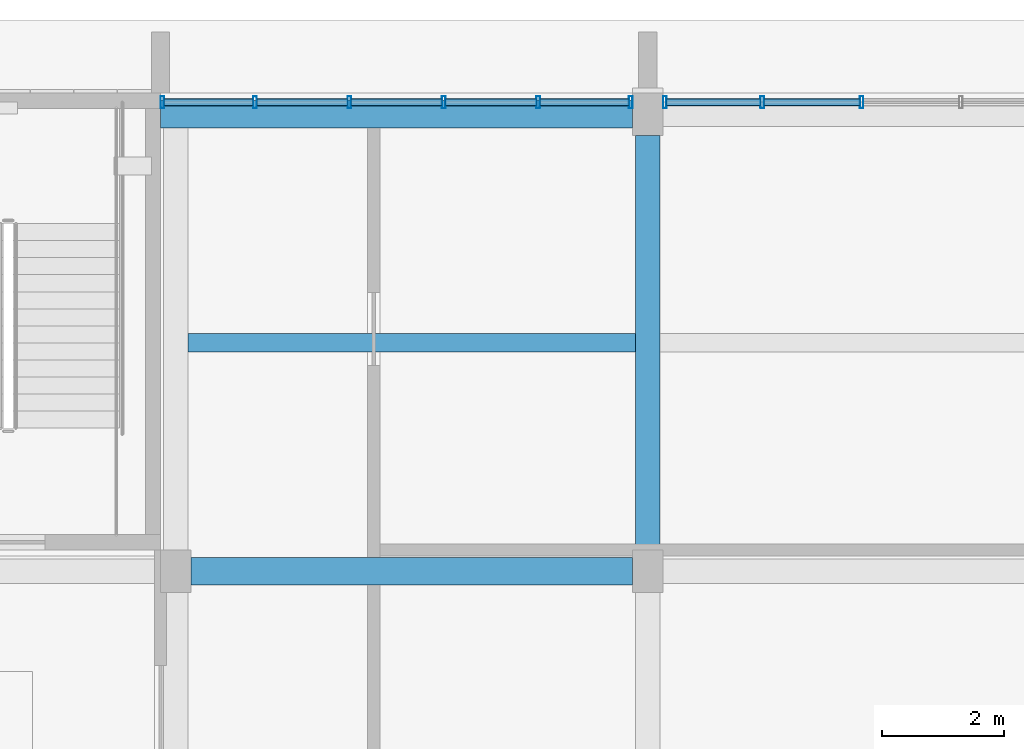
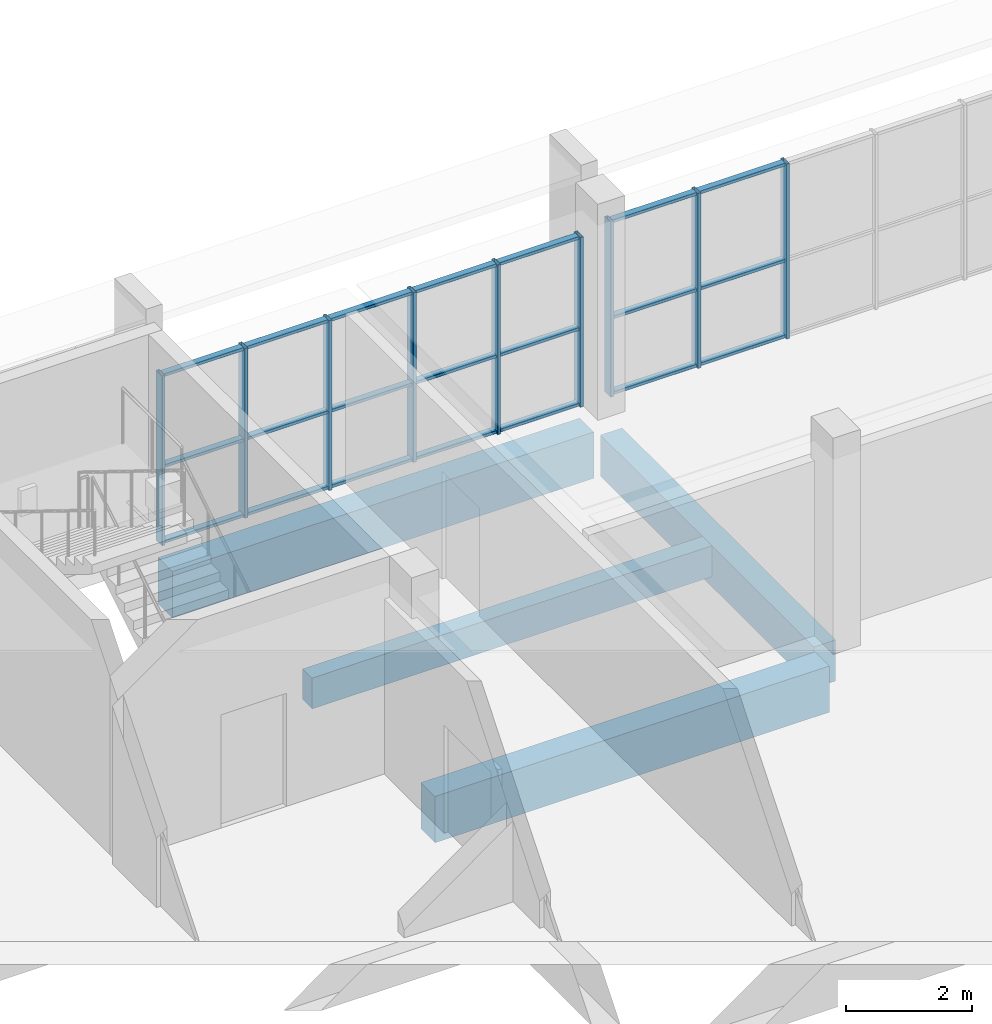
# One storey, part 17 of 42: 30 members, 4 beams, 2 elements without a shape of their own.
"""IFC4 building model written with IfcOpenShell, lengths in metres."""

from ifc_helpers import new_model, si_unit, direction, frame, origin, origin_2d, place, context, subcontext, project, spatial, rectangle, hollow_rectangle, extrude, material, material_profile, profile_set, type_object, element, aggregate, save


model = new_model("IFC4")

# Units and contexts
model_context = context("Model", 3, precision=1e-05, world=origin(), true_north=direction((0.0, 1.0)))
body_context = subcontext(model_context, "Body", "Model", "MODEL_VIEW")
ifc_project = project(units=[si_unit("LENGTHUNIT", "METRE"), si_unit("AREAUNIT", "SQUARE_METRE"), si_unit("VOLUMEUNIT", "CUBIC_METRE"), si_unit("PLANEANGLEUNIT", "RADIAN"), si_unit("MASSUNIT", "GRAM", prefix="KILO")], contexts=[model_context])

# Site, building, storey
site_placement = place(None, origin())
site = spatial("IfcSite", under=ifc_project, at=site_placement, CompositionType="ELEMENT")
building_placement = place(site_placement, origin())
building = spatial("IfcBuilding", under=site, at=building_placement, Name="Sun Court Science Centre", CompositionType="ELEMENT")
storey_placement = place(building_placement, frame((0.0, 0.0, 20.25)))
storey = spatial("IfcBuildingStorey", under=building, at=storey_placement, Name="L04", CompositionType="ELEMENT", Elevation=20.25)

# Curtain wall, members
ifc_material_1 = material(Name="Aluminium EN AW-6063 T6", Category="aluminium")
curtain_wall_type = type_object("IfcCurtainWallType", Name="Laboratory tall bay curtain wall 1500", PredefinedType="NOTDEFINED", material=ifc_material_1)
curtain_wall_1_placement = place(storey_placement, origin())
curtain_wall_1 = element("IfcCurtainWall", 1, at=curtain_wall_1_placement, inside=storey, type_object=curtain_wall_type, Name="Curtain wall V4 N L04 02", PredefinedType="NOTDEFINED")
ifc_material_2 = material(Name="Aluminium EN AW-6063 T6", Category="aluminium")
ifc_material_profile_1 = material_profile(ifc_material_2, hollow_rectangle(XDim=0.06005859375, YDim=0.199951171875, WallThickness=0.0048828125, InnerFilletRadius=0.0048828125, OuterFilletRadius=0.007568359375, at=origin_2d()), Name="AL 60x200x5")
ifc_profile_set_1 = profile_set([ifc_material_profile_1], Name="Aluminium EN AW-6063 T6")
member_type_1 = type_object("IfcMemberType", Name="Curtain wall mullion AL 60x200", PredefinedType="MULLION", material=ifc_profile_set_1)
member_1_placement = place(storey_placement, frame((87.030029296875, 80.85009765625, 0.0), z_axis=(0.0, 0.0, 1.0), x_axis=(1.0, 0.0, 0.0)))
member_1 = element("IfcMember", 2, at=member_1_placement, type_object=member_type_1, Name="CW2-74 mullion 1", PredefinedType="MULLION", context=body_context, shape_type="SweptSolid", body=[
    extrude(hollow_rectangle(XDim=0.06005859375, YDim=0.199951171875, WallThickness=0.0048828125, InnerFilletRadius=0.0048828125, OuterFilletRadius=0.007568359375, at=origin_2d()), origin(), (0.0, 0.0, 1.0), 3.300048828125),
])
member_2_placement = place(storey_placement, frame((88.550048828125, 80.85009765625, 0.0), z_axis=(0.0, 0.0, 1.0), x_axis=(1.0, 0.0, 0.0)))
member_2 = element("IfcMember", 3, at=member_2_placement, type_object=member_type_1, Name="CW2-74 mullion 2", PredefinedType="MULLION", context=body_context, shape_type="SweptSolid", body=[
    extrude(hollow_rectangle(XDim=0.06005859375, YDim=0.199951171875, WallThickness=0.0048828125, InnerFilletRadius=0.0048828125, OuterFilletRadius=0.007568359375, at=origin_2d()), origin(), (0.0, 0.0, 1.0), 3.300048828125),
])
member_3_placement = place(storey_placement, frame((90.10009765625, 80.85009765625, 0.0), z_axis=(0.0, 0.0, 1.0), x_axis=(1.0, 0.0, 0.0)))
member_3 = element("IfcMember", 4, at=member_3_placement, type_object=member_type_1, Name="CW2-74 mullion 3", PredefinedType="MULLION", context=body_context, shape_type="SweptSolid", body=[
    extrude(hollow_rectangle(XDim=0.06005859375, YDim=0.199951171875, WallThickness=0.0048828125, InnerFilletRadius=0.0048828125, OuterFilletRadius=0.007568359375, at=origin_2d()), origin(), (0.0, 0.0, 1.0), 3.300048828125),
])
member_4_placement = place(storey_placement, frame((91.64990234375, 80.85009765625, 0.0), z_axis=(0.0, 0.0, 1.0), x_axis=(1.0, 0.0, 0.0)))
member_4 = element("IfcMember", 5, at=member_4_placement, type_object=member_type_1, Name="CW2-74 mullion 4", PredefinedType="MULLION", context=body_context, shape_type="SweptSolid", body=[
    extrude(hollow_rectangle(XDim=0.06005859375, YDim=0.199951171875, WallThickness=0.0048828125, InnerFilletRadius=0.0048828125, OuterFilletRadius=0.007568359375, at=origin_2d()), origin(), (0.0, 0.0, 1.0), 3.300048828125),
])
member_5_placement = place(storey_placement, frame((93.199951171875, 80.85009765625, 0.0), z_axis=(0.0, 0.0, 1.0), x_axis=(1.0, 0.0, 0.0)))
member_5 = element("IfcMember", 6, at=member_5_placement, type_object=member_type_1, Name="CW2-74 mullion 5", PredefinedType="MULLION", context=body_context, shape_type="SweptSolid", body=[
    extrude(hollow_rectangle(XDim=0.06005859375, YDim=0.199951171875, WallThickness=0.0048828125, InnerFilletRadius=0.0048828125, OuterFilletRadius=0.007568359375, at=origin_2d()), origin(), (0.0, 0.0, 1.0), 3.300048828125),
])
member_6_placement = place(storey_placement, frame((94.719970703125, 80.85009765625, 0.0), z_axis=(0.0, 0.0, 1.0), x_axis=(1.0, 0.0, 0.0)))
member_6 = element("IfcMember", 7, at=member_6_placement, type_object=member_type_1, Name="CW2-74 mullion 6", PredefinedType="MULLION", context=body_context, shape_type="SweptSolid", body=[
    extrude(hollow_rectangle(XDim=0.06005859375, YDim=0.199951171875, WallThickness=0.0048828125, InnerFilletRadius=0.0048828125, OuterFilletRadius=0.007568359375, at=origin_2d()), origin(), (0.0, 0.0, 1.0), 3.300048828125),
])

curtain_wall_2_placement = place(storey_placement, origin())
curtain_wall_2 = element("IfcCurtainWall", 8, at=curtain_wall_2_placement, inside=storey, type_object=curtain_wall_type, Name="Curtain wall V4 N L04 03", PredefinedType="NOTDEFINED")
member_7_placement = place(storey_placement, frame((95.280029296875, 80.85009765625, 0.0), z_axis=(0.0, 0.0, 1.0), x_axis=(1.0, 0.0, 0.0)))
member_7 = element("IfcMember", 9, at=member_7_placement, type_object=member_type_1, Name="CW2-75 mullion 1", PredefinedType="MULLION", context=body_context, shape_type="SweptSolid", body=[
    extrude(hollow_rectangle(XDim=0.06005859375, YDim=0.199951171875, WallThickness=0.0048828125, InnerFilletRadius=0.0048828125, OuterFilletRadius=0.007568359375, at=origin_2d()), origin(), (0.0, 0.0, 1.0), 3.39990234375),
])
member_8_placement = place(storey_placement, frame((96.8798828125, 80.85009765625, 0.0), z_axis=(0.0, 0.0, 1.0), x_axis=(1.0, 0.0, 0.0)))
member_8 = element("IfcMember", 10, at=member_8_placement, type_object=member_type_1, Name="CW2-75 mullion 2", PredefinedType="MULLION", context=body_context, shape_type="SweptSolid", body=[
    extrude(hollow_rectangle(XDim=0.06005859375, YDim=0.199951171875, WallThickness=0.0048828125, InnerFilletRadius=0.0048828125, OuterFilletRadius=0.007568359375, at=origin_2d()), origin(), (0.0, 0.0, 1.0), 3.39990234375),
])
member_9_placement = place(storey_placement, frame((98.510009765625, 80.85009765625, 0.0), z_axis=(0.0, 0.0, 1.0), x_axis=(1.0, 0.0, 0.0)))
member_9 = element("IfcMember", 11, at=member_9_placement, type_object=member_type_1, Name="CW2-75 mullion 3", PredefinedType="MULLION", context=body_context, shape_type="SweptSolid", body=[
    extrude(hollow_rectangle(XDim=0.06005859375, YDim=0.199951171875, WallThickness=0.0048828125, InnerFilletRadius=0.0048828125, OuterFilletRadius=0.007568359375, at=origin_2d()), origin(), (0.0, 0.0, 1.0), 3.39990234375),
])

# Member
ifc_material_3 = material(Name="Aluminium EN AW-6063 T6", Category="aluminium")
ifc_material_profile_2 = material_profile(ifc_material_3, hollow_rectangle(XDim=0.06005859375, YDim=0.1201171875, WallThickness=0.00390625, InnerFilletRadius=0.00390625, OuterFilletRadius=0.006103515625, at=origin_2d()), Name="AL 60x120x4")
ifc_profile_set_2 = profile_set([ifc_material_profile_2], Name="Aluminium EN AW-6063 T6")
member_type_2 = type_object("IfcMemberType", Name="Curtain wall transom AL 60x120", PredefinedType="USERDEFINED", material=ifc_profile_set_2)
member_10_placement = place(storey_placement, frame((87.06005859375, 80.85009765625, 0.030029296875), z_axis=(1.0, 0.0, 0.0), x_axis=(0.0, 0.0, 1.0)))
member_10 = element("IfcMember", 12, at=member_10_placement, type_object=member_type_2, Name="CW2-74 transom 1.1", ObjectType="TRANSOM", PredefinedType="USERDEFINED", context=body_context, shape_type="SweptSolid", body=[
    extrude(hollow_rectangle(XDim=0.06005859375, YDim=0.1201171875, WallThickness=0.00390625, InnerFilletRadius=0.00390625, OuterFilletRadius=0.006103515625, at=origin_2d()), origin(), (0.0, 0.0, 1.0), 1.4599609375),
])

member_11_placement = place(storey_placement, frame((88.580078125, 80.85009765625, 0.030029296875), z_axis=(1.0, 0.0, 0.0), x_axis=(0.0, 0.0, 1.0)))
member_11 = element("IfcMember", 13, at=member_11_placement, type_object=member_type_2, Name="CW2-74 transom 2.1", ObjectType="TRANSOM", PredefinedType="USERDEFINED", context=body_context, shape_type="SweptSolid", body=[
    extrude(hollow_rectangle(XDim=0.06005859375, YDim=0.1201171875, WallThickness=0.00390625, InnerFilletRadius=0.00390625, OuterFilletRadius=0.006103515625, at=origin_2d()), origin(), (0.0, 0.0, 1.0), 1.489990234375),
])

member_12_placement = place(storey_placement, frame((90.1298828125, 80.85009765625, 0.030029296875), z_axis=(1.0, 0.0, 0.0), x_axis=(0.0, 0.0, 1.0)))
member_12 = element("IfcMember", 14, at=member_12_placement, type_object=member_type_2, Name="CW2-74 transom 3.1", ObjectType="TRANSOM", PredefinedType="USERDEFINED", context=body_context, shape_type="SweptSolid", body=[
    extrude(hollow_rectangle(XDim=0.06005859375, YDim=0.1201171875, WallThickness=0.00390625, InnerFilletRadius=0.00390625, OuterFilletRadius=0.006103515625, at=origin_2d()), origin(), (0.0, 0.0, 1.0), 1.490234375),
])

member_13_placement = place(storey_placement, frame((91.679931640625, 80.85009765625, 0.030029296875), z_axis=(1.0, 0.0, 0.0), x_axis=(0.0, 0.0, 1.0)))
member_13 = element("IfcMember", 15, at=member_13_placement, type_object=member_type_2, Name="CW2-74 transom 4.1", ObjectType="TRANSOM", PredefinedType="USERDEFINED", context=body_context, shape_type="SweptSolid", body=[
    extrude(hollow_rectangle(XDim=0.06005859375, YDim=0.1201171875, WallThickness=0.00390625, InnerFilletRadius=0.00390625, OuterFilletRadius=0.006103515625, at=origin_2d()), origin(), (0.0, 0.0, 1.0), 1.489990234375),
])

member_14_placement = place(storey_placement, frame((93.22998046875, 80.85009765625, 0.030029296875), z_axis=(1.0, 0.0, 0.0), x_axis=(0.0, 0.0, 1.0)))
member_14 = element("IfcMember", 16, at=member_14_placement, type_object=member_type_2, Name="CW2-74 transom 5.1", ObjectType="TRANSOM", PredefinedType="USERDEFINED", context=body_context, shape_type="SweptSolid", body=[
    extrude(hollow_rectangle(XDim=0.06005859375, YDim=0.1201171875, WallThickness=0.00390625, InnerFilletRadius=0.00390625, OuterFilletRadius=0.006103515625, at=origin_2d()), origin(), (0.0, 0.0, 1.0), 1.4599609375),
])

member_15_placement = place(storey_placement, frame((87.06005859375, 80.85009765625, 1.5), z_axis=(1.0, 0.0, 0.0), x_axis=(0.0, 0.0, 1.0)))
member_15 = element("IfcMember", 17, at=member_15_placement, type_object=member_type_2, Name="CW2-74 transom 1.2", ObjectType="TRANSOM", PredefinedType="USERDEFINED", context=body_context, shape_type="SweptSolid", body=[
    extrude(hollow_rectangle(XDim=0.06005859375, YDim=0.1201171875, WallThickness=0.00390625, InnerFilletRadius=0.00390625, OuterFilletRadius=0.006103515625, at=origin_2d()), origin(), (0.0, 0.0, 1.0), 1.4599609375),
])

member_16_placement = place(storey_placement, frame((88.580078125, 80.85009765625, 1.5), z_axis=(1.0, 0.0, 0.0), x_axis=(0.0, 0.0, 1.0)))
member_16 = element("IfcMember", 18, at=member_16_placement, type_object=member_type_2, Name="CW2-74 transom 2.2", ObjectType="TRANSOM", PredefinedType="USERDEFINED", context=body_context, shape_type="SweptSolid", body=[
    extrude(hollow_rectangle(XDim=0.06005859375, YDim=0.1201171875, WallThickness=0.00390625, InnerFilletRadius=0.00390625, OuterFilletRadius=0.006103515625, at=origin_2d()), origin(), (0.0, 0.0, 1.0), 1.489990234375),
])

member_17_placement = place(storey_placement, frame((90.1298828125, 80.85009765625, 1.5), z_axis=(1.0, 0.0, 0.0), x_axis=(0.0, 0.0, 1.0)))
member_17 = element("IfcMember", 19, at=member_17_placement, type_object=member_type_2, Name="CW2-74 transom 3.2", ObjectType="TRANSOM", PredefinedType="USERDEFINED", context=body_context, shape_type="SweptSolid", body=[
    extrude(hollow_rectangle(XDim=0.06005859375, YDim=0.1201171875, WallThickness=0.00390625, InnerFilletRadius=0.00390625, OuterFilletRadius=0.006103515625, at=origin_2d()), origin(), (0.0, 0.0, 1.0), 1.490234375),
])

member_18_placement = place(storey_placement, frame((91.679931640625, 80.85009765625, 1.5), z_axis=(1.0, 0.0, 0.0), x_axis=(0.0, 0.0, 1.0)))
member_18 = element("IfcMember", 20, at=member_18_placement, type_object=member_type_2, Name="CW2-74 transom 4.2", ObjectType="TRANSOM", PredefinedType="USERDEFINED", context=body_context, shape_type="SweptSolid", body=[
    extrude(hollow_rectangle(XDim=0.06005859375, YDim=0.1201171875, WallThickness=0.00390625, InnerFilletRadius=0.00390625, OuterFilletRadius=0.006103515625, at=origin_2d()), origin(), (0.0, 0.0, 1.0), 1.489990234375),
])

member_19_placement = place(storey_placement, frame((93.22998046875, 80.85009765625, 1.5), z_axis=(1.0, 0.0, 0.0), x_axis=(0.0, 0.0, 1.0)))
member_19 = element("IfcMember", 21, at=member_19_placement, type_object=member_type_2, Name="CW2-74 transom 5.2", ObjectType="TRANSOM", PredefinedType="USERDEFINED", context=body_context, shape_type="SweptSolid", body=[
    extrude(hollow_rectangle(XDim=0.06005859375, YDim=0.1201171875, WallThickness=0.00390625, InnerFilletRadius=0.00390625, OuterFilletRadius=0.006103515625, at=origin_2d()), origin(), (0.0, 0.0, 1.0), 1.4599609375),
])

member_20_placement = place(storey_placement, frame((87.06005859375, 80.85009765625, 3.27001953125), z_axis=(1.0, 0.0, 0.0), x_axis=(0.0, 0.0, 1.0)))
member_20 = element("IfcMember", 22, at=member_20_placement, type_object=member_type_2, Name="CW2-74 transom 1.3", ObjectType="TRANSOM", PredefinedType="USERDEFINED", context=body_context, shape_type="SweptSolid", body=[
    extrude(hollow_rectangle(XDim=0.06005859375, YDim=0.1201171875, WallThickness=0.00390625, InnerFilletRadius=0.00390625, OuterFilletRadius=0.006103515625, at=origin_2d()), origin(), (0.0, 0.0, 1.0), 1.4599609375),
])

member_21_placement = place(storey_placement, frame((88.580078125, 80.85009765625, 3.27001953125), z_axis=(1.0, 0.0, 0.0), x_axis=(0.0, 0.0, 1.0)))
member_21 = element("IfcMember", 23, at=member_21_placement, type_object=member_type_2, Name="CW2-74 transom 2.3", ObjectType="TRANSOM", PredefinedType="USERDEFINED", context=body_context, shape_type="SweptSolid", body=[
    extrude(hollow_rectangle(XDim=0.06005859375, YDim=0.1201171875, WallThickness=0.00390625, InnerFilletRadius=0.00390625, OuterFilletRadius=0.006103515625, at=origin_2d()), origin(), (0.0, 0.0, 1.0), 1.489990234375),
])

member_22_placement = place(storey_placement, frame((90.1298828125, 80.85009765625, 3.27001953125), z_axis=(1.0, 0.0, 0.0), x_axis=(0.0, 0.0, 1.0)))
member_22 = element("IfcMember", 24, at=member_22_placement, type_object=member_type_2, Name="CW2-74 transom 3.3", ObjectType="TRANSOM", PredefinedType="USERDEFINED", context=body_context, shape_type="SweptSolid", body=[
    extrude(hollow_rectangle(XDim=0.06005859375, YDim=0.1201171875, WallThickness=0.00390625, InnerFilletRadius=0.00390625, OuterFilletRadius=0.006103515625, at=origin_2d()), origin(), (0.0, 0.0, 1.0), 1.490234375),
])

member_23_placement = place(storey_placement, frame((91.679931640625, 80.85009765625, 3.27001953125), z_axis=(1.0, 0.0, 0.0), x_axis=(0.0, 0.0, 1.0)))
member_23 = element("IfcMember", 25, at=member_23_placement, type_object=member_type_2, Name="CW2-74 transom 4.3", ObjectType="TRANSOM", PredefinedType="USERDEFINED", context=body_context, shape_type="SweptSolid", body=[
    extrude(hollow_rectangle(XDim=0.06005859375, YDim=0.1201171875, WallThickness=0.00390625, InnerFilletRadius=0.00390625, OuterFilletRadius=0.006103515625, at=origin_2d()), origin(), (0.0, 0.0, 1.0), 1.489990234375),
])

member_24_placement = place(storey_placement, frame((93.22998046875, 80.85009765625, 3.27001953125), z_axis=(1.0, 0.0, 0.0), x_axis=(0.0, 0.0, 1.0)))
member_24 = element("IfcMember", 26, at=member_24_placement, type_object=member_type_2, Name="CW2-74 transom 5.3", ObjectType="TRANSOM", PredefinedType="USERDEFINED", context=body_context, shape_type="SweptSolid", body=[
    extrude(hollow_rectangle(XDim=0.06005859375, YDim=0.1201171875, WallThickness=0.00390625, InnerFilletRadius=0.00390625, OuterFilletRadius=0.006103515625, at=origin_2d()), origin(), (0.0, 0.0, 1.0), 1.4599609375),
])

aggregate(curtain_wall_1, [member_1, member_2, member_3, member_4, member_5, member_6, member_10, member_11, member_12, member_13, member_14, member_15, member_16, member_17, member_18, member_19, member_20, member_21, member_22, member_23, member_24])

member_25_placement = place(storey_placement, frame((95.31005859375, 80.85009765625, 0.030029296875), z_axis=(1.0, 0.0, 0.0), x_axis=(0.0, 0.0, 1.0)))
member_25 = element("IfcMember", 27, at=member_25_placement, type_object=member_type_2, Name="CW2-75 transom 1.1", ObjectType="TRANSOM", PredefinedType="USERDEFINED", context=body_context, shape_type="SweptSolid", body=[
    extrude(hollow_rectangle(XDim=0.06005859375, YDim=0.1201171875, WallThickness=0.00390625, InnerFilletRadius=0.00390625, OuterFilletRadius=0.006103515625, at=origin_2d()), origin(), (0.0, 0.0, 1.0), 1.5400390625),
])

member_26_placement = place(storey_placement, frame((96.909912109375, 80.85009765625, 0.030029296875), z_axis=(1.0, 0.0, 0.0), x_axis=(0.0, 0.0, 1.0)))
member_26 = element("IfcMember", 28, at=member_26_placement, type_object=member_type_2, Name="CW2-75 transom 2.1", ObjectType="TRANSOM", PredefinedType="USERDEFINED", context=body_context, shape_type="SweptSolid", body=[
    extrude(hollow_rectangle(XDim=0.06005859375, YDim=0.1201171875, WallThickness=0.00390625, InnerFilletRadius=0.00390625, OuterFilletRadius=0.006103515625, at=origin_2d()), origin(), (0.0, 0.0, 1.0), 1.570068359375),
])

member_27_placement = place(storey_placement, frame((95.31005859375, 80.85009765625, 1.5), z_axis=(1.0, 0.0, 0.0), x_axis=(0.0, 0.0, 1.0)))
member_27 = element("IfcMember", 29, at=member_27_placement, type_object=member_type_2, Name="CW2-75 transom 1.2", ObjectType="TRANSOM", PredefinedType="USERDEFINED", context=body_context, shape_type="SweptSolid", body=[
    extrude(hollow_rectangle(XDim=0.06005859375, YDim=0.1201171875, WallThickness=0.00390625, InnerFilletRadius=0.00390625, OuterFilletRadius=0.006103515625, at=origin_2d()), origin(), (0.0, 0.0, 1.0), 1.5400390625),
])

member_28_placement = place(storey_placement, frame((96.909912109375, 80.85009765625, 1.5), z_axis=(1.0, 0.0, 0.0), x_axis=(0.0, 0.0, 1.0)))
member_28 = element("IfcMember", 30, at=member_28_placement, type_object=member_type_2, Name="CW2-75 transom 2.2", ObjectType="TRANSOM", PredefinedType="USERDEFINED", context=body_context, shape_type="SweptSolid", body=[
    extrude(hollow_rectangle(XDim=0.06005859375, YDim=0.1201171875, WallThickness=0.00390625, InnerFilletRadius=0.00390625, OuterFilletRadius=0.006103515625, at=origin_2d()), origin(), (0.0, 0.0, 1.0), 1.570068359375),
])

member_29_placement = place(storey_placement, frame((95.31005859375, 80.85009765625, 3.3701171875), z_axis=(1.0, 0.0, 0.0), x_axis=(0.0, 0.0, 1.0)))
member_29 = element("IfcMember", 31, at=member_29_placement, type_object=member_type_2, Name="CW2-75 transom 1.3", ObjectType="TRANSOM", PredefinedType="USERDEFINED", context=body_context, shape_type="SweptSolid", body=[
    extrude(hollow_rectangle(XDim=0.06005859375, YDim=0.1201171875, WallThickness=0.00390625, InnerFilletRadius=0.00390625, OuterFilletRadius=0.006103515625, at=origin_2d()), origin(), (0.0, 0.0, 1.0), 1.5400390625),
])

member_30_placement = place(storey_placement, frame((96.909912109375, 80.85009765625, 3.3701171875), z_axis=(1.0, 0.0, 0.0), x_axis=(0.0, 0.0, 1.0)))
member_30 = element("IfcMember", 32, at=member_30_placement, type_object=member_type_2, Name="CW2-75 transom 2.3", ObjectType="TRANSOM", PredefinedType="USERDEFINED", context=body_context, shape_type="SweptSolid", body=[
    extrude(hollow_rectangle(XDim=0.06005859375, YDim=0.1201171875, WallThickness=0.00390625, InnerFilletRadius=0.00390625, OuterFilletRadius=0.006103515625, at=origin_2d()), origin(), (0.0, 0.0, 1.0), 1.570068359375),
])

aggregate(curtain_wall_2, [member_7, member_8, member_9, member_25, member_26, member_27, member_28, member_29, member_30])

# Beams
ifc_material_4 = material(Name="Concrete C25/30", Category="concrete")
ifc_material_profile_3 = material_profile(ifc_material_4, rectangle(XDim=0.39990234375, YDim=0.800048828125, at=origin_2d()), Name="RC 400x800")
ifc_profile_set_3 = profile_set([ifc_material_profile_3], Name="Concrete C25/30")
beam_type_1 = type_object("IfcBeamType", Name="RC girder 400x800", PredefinedType="BEAM", material=ifc_profile_set_3)
beam_1_placement = place(storey_placement, frame((95.0, 73.5, -0.699951171875), z_axis=(0.0, 1.0, 0.0), x_axis=(-1.0, 0.0, 0.0)))
element("IfcBeam", 33, at=beam_1_placement, inside=storey, type_object=beam_type_1, Name="Girder L04 line 3", PredefinedType="BEAM", context=body_context, shape_type="SweptSolid", body=[
    extrude(rectangle(XDim=0.39990234375, YDim=0.800048828125, at=origin_2d()), origin(), (0.0, 0.0, 1.0), 6.800048828125),
])
ifc_material_5 = material(Name="Concrete C25/30", Category="concrete")
ifc_material_profile_4 = material_profile(ifc_material_5, rectangle(XDim=0.449951171875, YDim=0.89990234375, at=origin_2d()), Name="RC 450x900")
ifc_profile_set_4 = profile_set([ifc_material_profile_4], Name="Concrete C25/30")
beam_type_2 = type_object("IfcBeamType", Name="RC girder 450x900", PredefinedType="BEAM", material=ifc_profile_set_4)
beam_2_placement = place(storey_placement, frame((87.5, 73.14990234375, -0.75), z_axis=(1.0, 0.0, 0.0), x_axis=(0.0, 1.0, 0.0)))
element("IfcBeam", 34, at=beam_2_placement, inside=storey, type_object=beam_type_2, Name="Girder L04 row 10", PredefinedType="BEAM", context=body_context, shape_type="SweptSolid", body=[
    extrude(rectangle(XDim=0.449951171875, YDim=0.89990234375, at=origin_2d()), origin(), (0.0, 0.0, 1.0), 7.25),
])
beam_3_placement = place(storey_placement, frame((87.0, 80.64990234375, -0.75), z_axis=(1.0, 0.0, 0.0), x_axis=(0.0, 1.0, 0.0)))
element("IfcBeam", 35, at=beam_3_placement, inside=storey, type_object=beam_type_2, Name="Girder L04 row 11", PredefinedType="BEAM", context=body_context, shape_type="SweptSolid", body=[
    extrude(rectangle(XDim=0.449951171875, YDim=0.89990234375, at=origin_2d()), origin(), (0.0, 0.0, 1.0), 7.75),
])
ifc_material_6 = material(Name="Concrete C25/30", Category="concrete")
ifc_material_profile_5 = material_profile(ifc_material_6, rectangle(XDim=0.300048828125, YDim=0.60009765625, at=origin_2d()), Name="RC 300x600")
ifc_profile_set_5 = profile_set([ifc_material_profile_5], Name="Concrete C25/30")
beam_type_3 = type_object("IfcBeamType", Name="RC joist 300x600", PredefinedType="JOIST", material=ifc_profile_set_5)
beam_4_placement = place(storey_placement, frame((87.449951171875, 76.89990234375, -0.60009765625), z_axis=(1.0, 0.0, 0.0), x_axis=(0.0, 1.0, 0.0)))
element("IfcBeam", 36, at=beam_4_placement, inside=storey, type_object=beam_type_3, Name="Joist L04", PredefinedType="JOIST", context=body_context, shape_type="SweptSolid", body=[
    extrude(rectangle(XDim=0.300048828125, YDim=0.60009765625, at=origin_2d()), origin(), (0.0, 0.0, 1.0), 7.35009765625),
])

save(model, "model.ifc")
